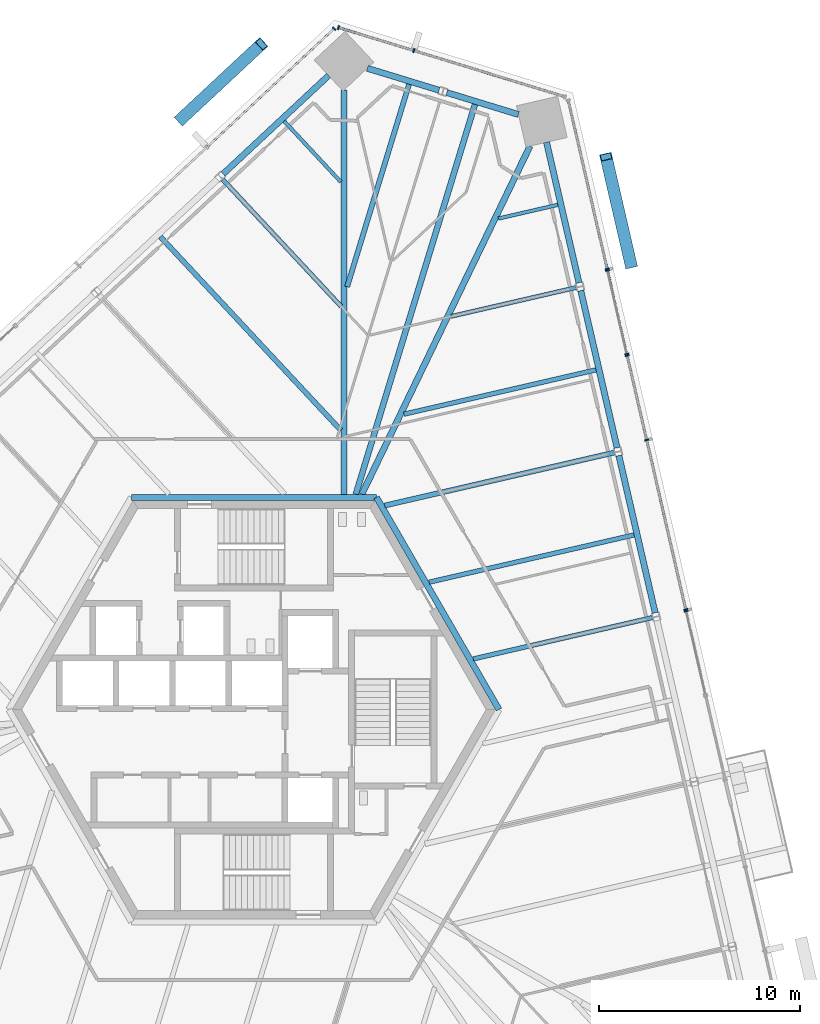
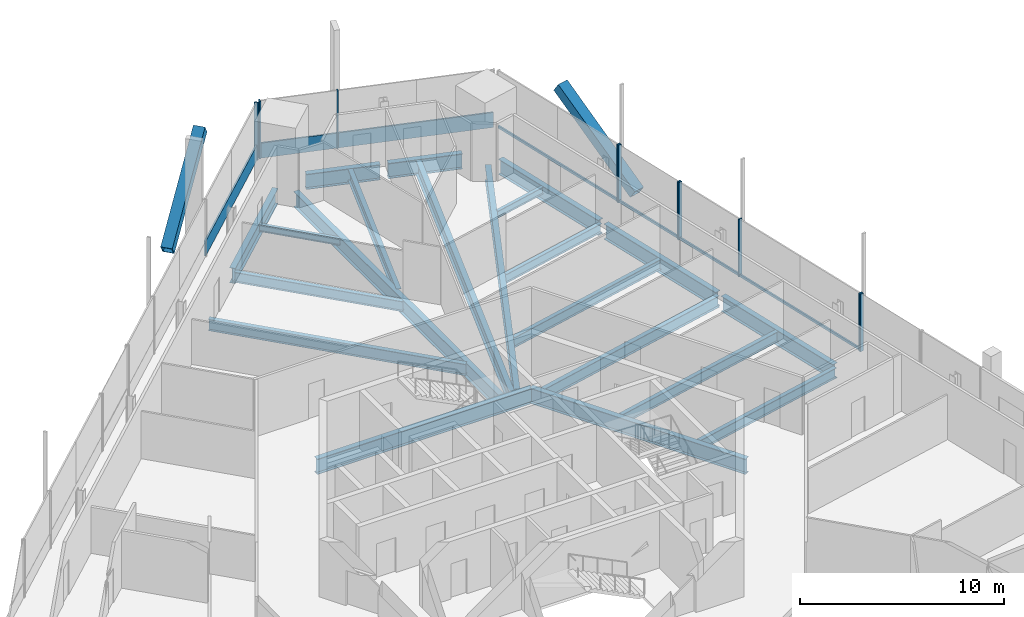
# One storey, part 9 of 24: 21 beams, 19 members, 6 elements without a shape of their own.
"""IFC4 building model written with IfcOpenShell, lengths in metres."""

from ifc_helpers import new_model, si_unit, direction, frame, origin, origin_2d, place, context, subcontext, project, spatial, rectangle, hollow_rectangle, i_section, extrude, source, transform, mapped, material, material_profile, profile_set, type_object, element, aggregate, save


model = new_model("IFC4")

# Units and contexts
model_context = context("Model", 3, precision=1e-05, world=origin(), true_north=direction((0.0, 1.0)))
body_context = subcontext(model_context, "Body", "Model", "MODEL_VIEW")
ifc_project = project(units=[si_unit("LENGTHUNIT", "METRE"), si_unit("AREAUNIT", "SQUARE_METRE"), si_unit("VOLUMEUNIT", "CUBIC_METRE"), si_unit("PLANEANGLEUNIT", "RADIAN"), si_unit("MASSUNIT", "GRAM", prefix="KILO")], contexts=[model_context])

# Site, building, storey
site_placement = place(None, origin())
site = spatial("IfcSite", under=ifc_project, at=site_placement, CompositionType="ELEMENT")
building_placement = place(site_placement, origin())
building = spatial("IfcBuilding", under=site, at=building_placement, Name="Triune Harvest Tower", CompositionType="ELEMENT")
storey_placement = place(building_placement, frame((0.0, 0.0, 127.10009765625)))
storey = spatial("IfcBuildingStorey", under=building, at=storey_placement, Name="L32", CompositionType="ELEMENT", Elevation=127.10009765625)

# Beams
ifc_material_1 = material(Name="Steel ASTM A992 Gr 50", Category="steel")
ifc_material_profile_1 = material_profile(ifc_material_1, i_section(OverallWidth=0.3046875, OverallDepth=0.914306640625, WebThickness=0.0166015625, FlangeThickness=0.02587890625, at=origin_2d()), Name="W36x160")
ifc_profile_set_1 = profile_set([ifc_material_profile_1], Name="Steel ASTM A992 Gr 50")
beam_type_1 = type_object("IfcBeamType", Name="CG-1 Core ring girder W36x160", PredefinedType="BEAM", material=ifc_profile_set_1)
shared_shape_1 = source(origin(), body_context, "Body", "SweptSolid", [
    extrude(i_section(OverallWidth=0.3046875, OverallDepth=0.914306640625, WebThickness=0.0166015625, FlangeThickness=0.02587890625, at=origin_2d()), origin(), (0.0, 0.0, 1.0), 12.176025390625),
])
beam_1_placement = place(storey_placement, frame((12.176025390625, 0.0, -0.6171875), z_axis=(-0.5000099932, 0.866019634131, 0.0), x_axis=(-0.866019634131, -0.5000099932, 0.0)))
element("IfcBeam", 1, at=beam_1_placement, inside=storey, type_object=beam_type_1, Name="beam/L32/CG1", PredefinedType="BEAM", context=body_context, shape_type="MappedRepresentation", body=[
    mapped(shared_shape_1, transform((0.0, 0.0, 0.0), scale=1.0)),
])
shared_shape_2 = source(origin(), body_context, "Body", "SweptSolid", [
    extrude(i_section(OverallWidth=0.3046875, OverallDepth=0.914306640625, WebThickness=0.0166015625, FlangeThickness=0.02587890625, at=origin_2d()), origin(), (0.0, 0.0, 1.0), 12.17578125),
])
beam_2_placement = place(storey_placement, frame((6.087890625, 10.544677734375, -0.6171875), z_axis=(-1.0, 0.0, 0.0), x_axis=(0.0, -1.0, 0.0)))
element("IfcBeam", 2, at=beam_2_placement, inside=storey, type_object=beam_type_1, Name="beam/L32/CG2", PredefinedType="BEAM", context=body_context, shape_type="MappedRepresentation", body=[
    mapped(shared_shape_2, transform((0.0, 0.0, 0.0), scale=1.0)),
])
ifc_material_2 = material(Name="Steel ASTM A992 Gr 50", Category="steel")
ifc_material_profile_2 = material_profile(ifc_material_2, i_section(OverallWidth=0.3046875, OverallDepth=0.914306640625, WebThickness=0.0166015625, FlangeThickness=0.02587890625, at=origin_2d()), Name="W36x160")
ifc_profile_set_2 = profile_set([ifc_material_profile_2], Name="Steel ASTM A992 Gr 50")
beam_type_2 = type_object("IfcBeamType", Name="SB-1 Spandrel beam W36x160", PredefinedType="SPANDREL", material=ifc_profile_set_2)
shared_shape_3 = source(origin(), body_context, "Body", "SweptSolid", [
    extrude(i_section(OverallWidth=0.3046875, OverallDepth=0.914306640625, WebThickness=0.0166015625, FlangeThickness=0.02587890625, at=origin_2d()), origin(), (0.0, 0.0, 1.0), 8.0185546875),
])
beam_3_placement = place(storey_placement, frame((18.04248046875, 13.00439453125, -0.6171875), z_axis=(-0.224915098534, 0.974378365139, 0.0), x_axis=(-0.974378365139, -0.224915098534, 0.0)))
element("IfcBeam", 3, at=beam_3_placement, inside=storey, type_object=beam_type_2, Name="beam/L32/SB5", PredefinedType="SPANDREL", context=body_context, shape_type="MappedRepresentation", body=[
    mapped(shared_shape_3, transform((0.0, 0.0, 0.0), scale=1.0)),
])
shared_shape_4 = source(origin(), body_context, "Body", "SweptSolid", [
    extrude(i_section(OverallWidth=0.3046875, OverallDepth=0.914306640625, WebThickness=0.0166015625, FlangeThickness=0.02587890625, at=origin_2d()), origin(), (0.0, 0.0, 1.0), 8.01806640625),
])
beam_4_placement = place(storey_placement, frame((19.935546875, 4.805908203125, -0.6171875), z_axis=(-0.224957352975, 0.97436861061, 0.0), x_axis=(-0.97436861061, -0.224957352975, 0.0)))
element("IfcBeam", 4, at=beam_4_placement, inside=storey, type_object=beam_type_2, Name="beam/L32/SB4", PredefinedType="SPANDREL", context=body_context, shape_type="MappedRepresentation", body=[
    mapped(shared_shape_4, transform((0.0, 0.0, 0.0), scale=1.0)),
])
shared_shape_5 = source(origin(), body_context, "Body", "SweptSolid", [
    extrude(i_section(OverallWidth=0.3046875, OverallDepth=0.914306640625, WebThickness=0.0166015625, FlangeThickness=0.02587890625, at=origin_2d()), origin(), (0.0, 0.0, 1.0), 7.16650390625),
])
for number, where, z_axis, x_axis, name in (
    (5, (16.14990234375, 21.203369140625, -0.6171875), (-0.224981420466, 0.974363053715, 0.0), (-0.974363053715, -0.224981420466, 0.0), "beam/L32/SB6"),
    (6, (3.709228515625, 31.49658203125, -0.6171875), (-0.731357675554, -0.681994098515, 0.0), (0.681994098515, -0.731357675554, 0.0), "beam/L32/SB9"),
):
    element("IfcBeam", number, at=place(storey_placement, frame(where, z_axis=z_axis, x_axis=x_axis)), inside=storey, type_object=beam_type_2, Name=name, PredefinedType="SPANDREL", context=body_context, shape_type="MappedRepresentation", body=[
        mapped(shared_shape_5, transform((0.0, 0.0, 0.0), scale=1.0)),
    ])
shared_shape_6 = source(origin(), body_context, "Body", "SweptSolid", [
    extrude(i_section(OverallWidth=0.3046875, OverallDepth=0.914306640625, WebThickness=0.0166015625, FlangeThickness=0.02587890625, at=origin_2d()), origin(), (0.0, 0.0, 1.0), 3.72607421875),
])
beam_5_placement = place(storey_placement, frame((13.14208984375, 29.563720703125, -0.6171875), z_axis=(-0.956307307825, 0.292363357829, 0.0), x_axis=(-0.292363357829, -0.956307307825, 0.0)))
element("IfcBeam", 7, at=beam_5_placement, inside=storey, type_object=beam_type_2, Name="beam/L32/SB7", PredefinedType="SPANDREL", context=body_context, shape_type="MappedRepresentation", body=[
    mapped(shared_shape_6, transform((0.0, 0.0, 0.0), scale=1.0)),
])
shared_shape_7 = source(origin(), body_context, "Body", "SweptSolid", [
    extrude(i_section(OverallWidth=0.3046875, OverallDepth=0.914306640625, WebThickness=0.0166015625, FlangeThickness=0.02587890625, at=origin_2d()), origin(), (0.0, 0.0, 1.0), 3.725830078125),
])
beam_6_placement = place(storey_placement, frame((9.19970703125, 30.768798828125, -0.6171875), z_axis=(-0.956301706638, 0.292381678431, 0.0), x_axis=(-0.292381678431, -0.956301706638, 0.0)))
element("IfcBeam", 8, at=beam_6_placement, inside=storey, type_object=beam_type_2, Name="beam/L32/SB8", PredefinedType="SPANDREL", context=body_context, shape_type="MappedRepresentation", body=[
    mapped(shared_shape_7, transform((0.0, 0.0, 0.0), scale=1.0)),
])
ifc_material_3 = material(Name="Steel ASTM A992 Gr 50", Category="steel")
ifc_material_profile_3 = material_profile(ifc_material_3, i_section(OverallWidth=0.307373046875, OverallDepth=0.922119140625, WebThickness=0.018310546875, FlangeThickness=0.030029296875, at=origin_2d()), Name="W36x182")
ifc_profile_set_3 = profile_set([ifc_material_profile_3], Name="Steel ASTM A992 Gr 50")
beam_type_3 = type_object("IfcBeamType", Name="HG-2 Hip girder W36x182", PredefinedType="BEAM", material=ifc_profile_set_3)
shared_shape_8 = source(origin(), body_context, "Body", "SweptSolid", [
    extrude(i_section(OverallWidth=0.307373046875, OverallDepth=0.922119140625, WebThickness=0.018310546875, FlangeThickness=0.030029296875, at=origin_2d()), origin(), (0.0, 0.0, 1.0), 19.2109375),
])
beam_7_placement = place(storey_placement, frame((13.7158203125, 27.996337890625, -0.62109375), z_axis=(-0.434869540736, -0.900493466129, 0.0), x_axis=(0.900493466129, -0.434869540736, 0.0)))
element("IfcBeam", 9, at=beam_7_placement, inside=storey, type_object=beam_type_3, Name="beam/L32/HG3", PredefinedType="BEAM", context=body_context, shape_type="MappedRepresentation", body=[
    mapped(shared_shape_8, transform((0.0, 0.0, 0.0), scale=1.0)),
])
shared_shape_9 = source(origin(), body_context, "Body", "SweptSolid", [
    extrude(i_section(OverallWidth=0.307373046875, OverallDepth=0.922119140625, WebThickness=0.018310546875, FlangeThickness=0.030029296875, at=origin_2d()), origin(), (0.0, 0.0, 1.0), 20.080078125),
])
beam_8_placement = place(storey_placement, frame((4.47705078125, 30.777099609375, -0.62109375), z_axis=(0.0, -1.0, 0.0), x_axis=(1.0, 0.0, 0.0)))
element("IfcBeam", 10, at=beam_8_placement, inside=storey, type_object=beam_type_3, Name="beam/L32/HG4", PredefinedType="BEAM", context=body_context, shape_type="MappedRepresentation", body=[
    mapped(shared_shape_9, transform((0.0, 0.0, 0.0), scale=1.0)),
])
ifc_material_4 = material(Name="Steel ASTM A992 Gr 50", Category="steel")
ifc_material_profile_4 = material_profile(ifc_material_4, i_section(OverallWidth=0.22900390625, OverallDepth=0.612060546875, WebThickness=0.011962890625, FlangeThickness=0.01953125, at=origin_2d()), Name="W24x84")
ifc_profile_set_4 = profile_set([ifc_material_profile_4], Name="Steel ASTM A992 Gr 50")
beam_type_4 = type_object("IfcBeamType", Name="JT-3 Floor joist W24x84", PredefinedType="JOIST", material=ifc_profile_set_4)
shared_shape_10 = source(origin(), body_context, "Body", "SweptSolid", [
    extrude(i_section(OverallWidth=0.22900390625, OverallDepth=0.612060546875, WebThickness=0.011962890625, FlangeThickness=0.01953125, at=origin_2d()), origin(), (0.0, 0.0, 1.0), 9.129150390625),
])
beam_9_placement = place(storey_placement, frame((19.79443359375, 4.56982421875, -0.46630859375), z_axis=(-0.974374065454, -0.22493372484, 0.0), x_axis=(0.22493372484, -0.974374065454, 0.0)))
element("IfcBeam", 11, at=beam_9_placement, inside=storey, type_object=beam_type_4, Name="beam/L32/JT6", PredefinedType="JOIST", context=body_context, shape_type="MappedRepresentation", body=[
    mapped(shared_shape_10, transform((0.0, 0.0, 0.0), scale=1.0)),
])
shared_shape_11 = source(origin(), body_context, "Body", "SweptSolid", [
    extrude(i_section(OverallWidth=0.22900390625, OverallDepth=0.612060546875, WebThickness=0.011962890625, FlangeThickness=0.01953125, at=origin_2d()), origin(), (0.0, 0.0, 1.0), 10.45361328125),
])
beam_10_placement = place(storey_placement, frame((18.88525390625, 8.677978515625, -0.46630859375), z_axis=(-0.974370329956, -0.224949905758, 0.0), x_axis=(0.224949905758, -0.974370329956, 0.0)))
element("IfcBeam", 12, at=beam_10_placement, inside=storey, type_object=beam_type_4, Name="beam/L32/JT7", PredefinedType="JOIST", context=body_context, shape_type="MappedRepresentation", body=[
    mapped(shared_shape_11, transform((0.0, 0.0, 0.0), scale=1.0)),
])
ifc_material_5 = material(Name="Steel ASTM A992 Gr 50", Category="steel")
ifc_material_profile_5 = material_profile(ifc_material_5, i_section(OverallWidth=0.253662109375, OverallDepth=0.683349609375, WebThickness=0.012451171875, FlangeThickness=0.01904296875, at=origin_2d()), Name="W27x94")
ifc_profile_set_5 = profile_set([ifc_material_profile_5], Name="Steel ASTM A992 Gr 50")
beam_type_5 = type_object("IfcBeamType", Name="JT-4 Floor joist W27x94", PredefinedType="JOIST", material=ifc_profile_set_5)
shared_shape_12 = source(origin(), body_context, "Body", "SweptSolid", [
    extrude(i_section(OverallWidth=0.253662109375, OverallDepth=0.683349609375, WebThickness=0.012451171875, FlangeThickness=0.01904296875, at=origin_2d()), origin(), (0.0, 0.0, 1.0), 11.701904296875),
])
beam_11_placement = place(storey_placement, frame((17.901611328125, 12.768798828125, -0.501708984375), z_axis=(-0.974365520252, -0.224970737974, 0.0), x_axis=(0.224970737974, -0.974365520252, 0.0)))
element("IfcBeam", 13, at=beam_11_placement, inside=storey, type_object=beam_type_5, Name="beam/L32/JT8", PredefinedType="JOIST", context=body_context, shape_type="MappedRepresentation", body=[
    mapped(shared_shape_12, transform((0.0, 0.0, 0.0), scale=1.0)),
])
shared_shape_13 = source(origin(), body_context, "Body", "SweptSolid", [
    extrude(i_section(OverallWidth=0.22900390625, OverallDepth=0.612060546875, WebThickness=0.011962890625, FlangeThickness=0.01953125, at=origin_2d()), origin(), (0.0, 0.0, 1.0), 9.790283203125),
])
beam_12_placement = place(storey_placement, frame((16.9921875, 16.876708984375, -0.46630859375), z_axis=(-0.974368495141, -0.224957853113, 0.0), x_axis=(0.224957853113, -0.974368495141, 0.0)))
element("IfcBeam", 14, at=beam_12_placement, inside=storey, type_object=beam_type_4, Name="beam/L32/JT9", PredefinedType="JOIST", context=body_context, shape_type="MappedRepresentation", body=[
    mapped(shared_shape_13, transform((0.0, 0.0, 0.0), scale=1.0)),
])
ifc_material_6 = material(Name="Steel ASTM A992 Gr 50", Category="steel")
ifc_material_profile_6 = material_profile(ifc_material_6, i_section(OverallWidth=0.2099609375, OverallDepth=0.535888671875, WebThickness=0.010986328125, FlangeThickness=0.017333984375, at=origin_2d()), Name="W21x68")
ifc_profile_set_6 = profile_set([ifc_material_profile_6], Name="Steel ASTM A992 Gr 50")
beam_type_6 = type_object("IfcBeamType", Name="JT-2 Floor joist W21x68", PredefinedType="JOIST", material=ifc_profile_set_6)
shared_shape_14 = source(origin(), body_context, "Body", "SweptSolid", [
    extrude(i_section(OverallWidth=0.2099609375, OverallDepth=0.535888671875, WebThickness=0.010986328125, FlangeThickness=0.017333984375, at=origin_2d()), origin(), (0.0, 0.0, 1.0), 6.372314453125),
])
beam_13_placement = place(storey_placement, frame((16.0087890625, 20.967529296875, -0.427978515625), z_axis=(-0.974365360565, -0.224971429586, 0.0), x_axis=(0.224971429586, -0.974365360565, 0.0)))
element("IfcBeam", 15, at=beam_13_placement, inside=storey, type_object=beam_type_6, Name="beam/L32/JT10", PredefinedType="JOIST", context=body_context, shape_type="MappedRepresentation", body=[
    mapped(shared_shape_14, transform((0.0, 0.0, 0.0), scale=1.0)),
])
ifc_material_7 = material(Name="Steel ASTM A992 Gr 50", Category="steel")
ifc_material_profile_7 = material_profile(ifc_material_7, i_section(OverallWidth=0.180908203125, OverallDepth=0.41650390625, WebThickness=0.010986328125, FlangeThickness=0.01806640625, at=origin_2d()), Name="W16x57")
ifc_profile_set_7 = profile_set([ifc_material_profile_7], Name="Steel ASTM A992 Gr 50")
beam_type_7 = type_object("IfcBeamType", Name="JT-1 Floor joist W16x57", PredefinedType="JOIST", material=ifc_profile_set_7)
shared_shape_15 = source(origin(), body_context, "Body", "SweptSolid", [
    extrude(i_section(OverallWidth=0.180908203125, OverallDepth=0.41650390625, WebThickness=0.010986328125, FlangeThickness=0.01806640625, at=origin_2d()), origin(), (0.0, 0.0, 1.0), 3.0302734375),
])
beam_14_placement = place(storey_placement, frame((15.099365234375, 25.075439453125, -0.368408203125), z_axis=(-0.974372182121, -0.224941882957, 0.0), x_axis=(0.224941882957, -0.974372182121, 0.0)))
element("IfcBeam", 16, at=beam_14_placement, inside=storey, type_object=beam_type_7, Name="beam/L32/JT11", PredefinedType="JOIST", context=body_context, shape_type="MappedRepresentation", body=[
    mapped(shared_shape_15, transform((0.0, 0.0, 0.0), scale=1.0)),
])
ifc_material_8 = material(Name="Steel ASTM A992 Gr 50", Category="steel")
ifc_material_profile_8 = material_profile(ifc_material_8, i_section(OverallWidth=0.2919921875, OverallDepth=0.8583984375, WebThickness=0.01708984375, FlangeThickness=0.031005859375, at=origin_2d()), Name="W33x169")
ifc_profile_set_8 = profile_set([ifc_material_profile_8], Name="Steel ASTM A992 Gr 50")
beam_type_8 = type_object("IfcBeamType", Name="JT-7 Floor joist W33x169", PredefinedType="JOIST", material=ifc_profile_set_8)
shared_shape_16 = source(origin(), body_context, "Body", "SweptSolid", [
    extrude(i_section(OverallWidth=0.2919921875, OverallDepth=0.8583984375, WebThickness=0.01708984375, FlangeThickness=0.031005859375, at=origin_2d()), origin(), (0.0, 0.0, 1.0), 20.252685546875),
])
beam_15_placement = place(storey_placement, frame((10.982177734375, 30.064697265625, -0.58935546875), z_axis=(-0.292364925189, -0.956306828648, 0.0), x_axis=(0.956306828648, -0.292364925189, 0.0)))
element("IfcBeam", 17, at=beam_15_placement, inside=storey, type_object=beam_type_8, Name="beam/L32/JT12", PredefinedType="JOIST", context=body_context, shape_type="MappedRepresentation", body=[
    mapped(shared_shape_16, transform((0.0, 0.0, 0.0), scale=1.0)),
])
shared_shape_17 = source(origin(), body_context, "Body", "SweptSolid", [
    extrude(i_section(OverallWidth=0.253662109375, OverallDepth=0.683349609375, WebThickness=0.012451171875, FlangeThickness=0.01904296875, at=origin_2d()), origin(), (0.0, 0.0, 1.0), 10.522705078125),
])
beam_16_placement = place(storey_placement, frame((7.707275390625, 31.065673828125, -0.501708984375), z_axis=(-0.292358820543, -0.956308694957, 0.0), x_axis=(0.956308694957, -0.292358820543, 0.0)))
element("IfcBeam", 18, at=beam_16_placement, inside=storey, type_object=beam_type_5, Name="beam/L32/JT13", PredefinedType="JOIST", context=body_context, shape_type="MappedRepresentation", body=[
    mapped(shared_shape_17, transform((0.0, 0.0, 0.0), scale=1.0)),
])
shared_shape_18 = source(origin(), body_context, "Body", "SweptSolid", [
    extrude(i_section(OverallWidth=0.180908203125, OverallDepth=0.41650390625, WebThickness=0.010986328125, FlangeThickness=0.01806640625, at=origin_2d()), origin(), (0.0, 0.0, 1.0), 4.134033203125),
])
beam_17_placement = place(storey_placement, frame((1.504150390625, 29.23193359375, -0.368408203125), z_axis=(0.681989931417, -0.731361561367, 0.0), x_axis=(0.731361561367, 0.681989931417, 0.0)))
element("IfcBeam", 19, at=beam_17_placement, inside=storey, type_object=beam_type_7, Name="beam/L32/JT14", PredefinedType="JOIST", context=body_context, shape_type="MappedRepresentation", body=[
    mapped(shared_shape_18, transform((0.0, 0.0, 0.0), scale=1.0)),
])
shared_shape_19 = source(origin(), body_context, "Body", "SweptSolid", [
    extrude(i_section(OverallWidth=0.22900390625, OverallDepth=0.612060546875, WebThickness=0.011962890625, FlangeThickness=0.01953125, at=origin_2d()), origin(), (0.0, 0.0, 1.0), 8.607666015625),
])
beam_18_placement = place(storey_placement, frame((-1.546875, 26.334716796875, -0.46630859375), z_axis=(0.681999854465, -0.731352308063, 0.0), x_axis=(0.731352308063, 0.681999854465, 0.0)))
element("IfcBeam", 20, at=beam_18_placement, inside=storey, type_object=beam_type_4, Name="beam/L32/JT15", PredefinedType="JOIST", context=body_context, shape_type="MappedRepresentation", body=[
    mapped(shared_shape_19, transform((0.0, 0.0, 0.0), scale=1.0)),
])
shared_shape_20 = source(origin(), body_context, "Body", "SweptSolid", [
    extrude(i_section(OverallWidth=0.253662109375, OverallDepth=0.683349609375, WebThickness=0.012451171875, FlangeThickness=0.01904296875, at=origin_2d()), origin(), (0.0, 0.0, 1.0), 13.157470703125),
])
beam_19_placement = place(storey_placement, frame((-4.64990234375, 23.493408203125, -0.501708984375), z_axis=(0.681997545037, -0.731354461642, 0.0), x_axis=(0.731354461642, 0.681997545037, 0.0)))
element("IfcBeam", 21, at=beam_19_placement, inside=storey, type_object=beam_type_5, Name="beam/L32/JT16", PredefinedType="JOIST", context=body_context, shape_type="MappedRepresentation", body=[
    mapped(shared_shape_20, transform((0.0, 0.0, 0.0), scale=1.0)),
])

# Members
ifc_material_9 = material(Name="Steel ASTM A572 Gr 50", Category="steel")
ifc_material_profile_9 = material_profile(ifc_material_9, hollow_rectangle(XDim=0.60009765625, YDim=0.60009765625, WallThickness=0.0400390625, at=origin_2d()), Name="Box 600x600x40")
ifc_profile_set_9 = profile_set([ifc_material_profile_9], Name="Steel ASTM A572 Gr 50")
member_type_1 = type_object("IfcMemberType", Name="BR-2 Brace Box 600x600x40", PredefinedType="BRACE", material=ifc_profile_set_9)
shared_shape_21 = source(origin(), body_context, "Body", "SweptSolid", [
    extrude(hollow_rectangle(XDim=0.60009765625, YDim=0.60009765625, WallThickness=0.0400390625, at=origin_2d()), origin(), (0.0, 0.0, 1.0), 6.56640625),
])
member_1_placement = place(storey_placement, frame((18.730224609375, 22.112060546875, 0.0), z_axis=(-0.188134834296, 0.814891534243, 0.548230856067), x_axis=(-0.974369462042, -0.224953665097, 0.0)))
element("IfcMember", 22, at=member_1_placement, inside=storey, type_object=member_type_1, Name="brace/B3-F1/d1/9", PredefinedType="BRACE", context=body_context, shape_type="MappedRepresentation", body=[
    mapped(shared_shape_21, transform((0.0, 0.0, 0.0), scale=1.0)),
])
shared_shape_22 = source(origin(), body_context, "Body", "SweptSolid", [
    extrude(hollow_rectangle(XDim=0.60009765625, YDim=0.60009765625, WallThickness=0.0400390625, at=origin_2d()), origin(), (0.0, 0.0, 1.0), 6.566162109375),
])
member_2_placement = place(storey_placement, frame((-3.640380859375, 29.3173828125, 0.0), z_axis=(0.611628219627, 0.570394438741, 0.548234534857), x_axis=(-0.682025155065, 0.731328713957, 0.0)))
element("IfcMember", 23, at=member_2_placement, inside=storey, type_object=member_type_1, Name="brace/B3-F3/d2/9", PredefinedType="BRACE", context=body_context, shape_type="MappedRepresentation", body=[
    mapped(shared_shape_22, transform((0.0, 0.0, 0.0), scale=1.0)),
])

# Curtain wall, members
ifc_material_10 = material(Name="Aluminium bronze anodised", Category="aluminium")
curtain_wall_type_1 = type_object("IfcCurtainWallType", Name="CW-7 Tower stick curtain wall with insulated spandrel infill", PredefinedType="NOTDEFINED", material=ifc_material_10)
curtain_wall_1_placement = place(storey_placement, origin())
curtain_wall_1 = element("IfcCurtainWall", 24, at=curtain_wall_1_placement, inside=storey, type_object=curtain_wall_type_1, Name="CW-7 B3-F2 L32 run 1")
ifc_material_11 = material(Name="Aluminium bronze anodised", Category="aluminium")
ifc_material_profile_10 = material_profile(ifc_material_11, rectangle(XDim=0.199951171875, YDim=0.074951171875, at=origin_2d()), Name="MU-1 mullion 75 x 200")
ifc_profile_set_10 = profile_set([ifc_material_profile_10], Name="Aluminium bronze anodised")
member_type_2 = type_object("IfcMemberType", Name="MU-1 mullion 75 x 200", PredefinedType="MULLION", material=ifc_profile_set_10)
shared_shape_23 = source(origin(), body_context, "Body", "SweptSolid", [
    extrude(rectangle(XDim=0.199951171875, YDim=0.074951171875, at=origin_2d()), origin(), (0.0, 0.0, 1.0), 3.43994140625),
])
member_3_placement = place(storey_placement, frame((7.945068359375, 32.740478515625, 0.0), z_axis=(0.0, 0.0, 1.0), x_axis=(-0.292376962095, -0.956303148607, 0.0)))
member_3 = element("IfcMember", 25, at=member_3_placement, type_object=member_type_2, Name="CW-7 mullion B3-F2 1.3", PredefinedType="MULLION", context=body_context, shape_type="MappedRepresentation", body=[
    mapped(shared_shape_23, transform((0.0, 0.0, 0.0), scale=1.0)),
])
member_4_placement = place(storey_placement, frame((4.20458984375, 33.884033203125, 0.0), z_axis=(0.0, 0.0, 1.0), x_axis=(-0.292376962095, -0.956303148607, 0.0)))
member_4 = element("IfcMember", 26, at=member_4_placement, type_object=member_type_2, Name="CW-7 mullion B3-F2 1.4", PredefinedType="MULLION", context=body_context, shape_type="MappedRepresentation", body=[
    mapped(shared_shape_23, transform((0.0, 0.0, 0.0), scale=1.0)),
])

# Curtain wall, member
curtain_wall_2_placement = place(storey_placement, origin())
curtain_wall_2 = element("IfcCurtainWall", 27, at=curtain_wall_2_placement, inside=storey, type_object=curtain_wall_type_1, Name="CW-7 B3-F3 L32 run 1")
member_5_placement = place(storey_placement, frame((3.9892578125, 33.83447265625, 0.0), z_axis=(0.0, 0.0, 1.0), x_axis=(0.681997080647, -0.731354894691, 0.0)))
member_5 = element("IfcMember", 28, at=member_5_placement, type_object=member_type_2, Name="CW-7 mullion B3-F3 1.1", PredefinedType="MULLION", context=body_context, shape_type="MappedRepresentation", body=[
    mapped(shared_shape_23, transform((0.0, 0.0, 0.0), scale=1.0)),
])

ifc_material_12 = material(Name="Aluminium bronze anodised", Category="aluminium")
curtain_wall_type_2 = type_object("IfcCurtainWallType", Name="CW-6 Balcony window wall", PredefinedType="NOTDEFINED", material=ifc_material_12)
curtain_wall_3_placement = place(storey_placement, origin())
curtain_wall_3 = element("IfcCurtainWall", 29, at=curtain_wall_3_placement, inside=storey, type_object=curtain_wall_type_2, Name="CW-6 B3-F1 L32 run 1002")
ifc_material_13 = material(Name="Aluminium bronze anodised", Category="aluminium")
ifc_material_profile_11 = material_profile(ifc_material_13, rectangle(XDim=0.199951171875, YDim=0.074951171875, at=origin_2d()), Name="MU-6 mullion 75 x 200")
ifc_profile_set_11 = profile_set([ifc_material_profile_11], Name="Aluminium bronze anodised")
member_type_3 = type_object("IfcMemberType", Name="MU-6 mullion 75 x 200", PredefinedType="MULLION", material=ifc_profile_set_11)
shared_shape_24 = source(origin(), body_context, "Body", "SweptSolid", [
    extrude(rectangle(XDim=0.199951171875, YDim=0.074951171875, at=origin_2d()), origin(), (0.0, 0.0, 1.0), 3.43994140625),
])
member_6_placement = place(storey_placement, frame((21.47314453125, 4.895751953125, 0.0), z_axis=(0.0, 0.0, 1.0), x_axis=(-0.974367901353, -0.224960424995, 0.0)))
member_6 = element("IfcMember", 30, at=member_6_placement, type_object=member_type_3, Name="CW-6 mullion B3-F1 1002.2", PredefinedType="MULLION", context=body_context, shape_type="MappedRepresentation", body=[
    mapped(shared_shape_24, transform((0.0, 0.0, 0.0), scale=1.0)),
])
aggregate(curtain_wall_3, [member_6])

# Curtain wall, members
ifc_material_14 = material(Name="Aluminium bronze anodised", Category="aluminium")
curtain_wall_type_3 = type_object("IfcCurtainWallType", Name="CW-10 Balcony window wall with insulated spandrel infill", PredefinedType="NOTDEFINED", material=ifc_material_14)
curtain_wall_4_placement = place(storey_placement, origin())
curtain_wall_4 = element("IfcCurtainWall", 31, at=curtain_wall_4_placement, inside=storey, type_object=curtain_wall_type_3, Name="CW-10 B3-F1 L32 run 2002")
member_7_placement = place(storey_placement, frame((21.456298828125, 4.968994140625, 0.0), z_axis=(0.0, 0.0, 1.0), x_axis=(-0.974369972509, -0.224951454035, 0.0)))
member_7 = element("IfcMember", 32, at=member_7_placement, type_object=member_type_3, Name="CW-10 mullion B3-F1 2002.1", PredefinedType="MULLION", context=body_context, shape_type="MappedRepresentation", body=[
    mapped(shared_shape_24, transform((0.0, 0.0, 0.0), scale=1.0)),
])
member_8_placement = place(storey_placement, frame((19.51123046875, 13.39404296875, 0.0), z_axis=(0.0, 0.0, 1.0), x_axis=(-0.974369972509, -0.224951454035, 0.0)))
member_8 = element("IfcMember", 33, at=member_8_placement, type_object=member_type_3, Name="CW-10 mullion B3-F1 2002.3", PredefinedType="MULLION", context=body_context, shape_type="MappedRepresentation", body=[
    mapped(shared_shape_24, transform((0.0, 0.0, 0.0), scale=1.0)),
])
member_9_placement = place(storey_placement, frame((18.54296875, 17.58837890625, 0.0), z_axis=(0.0, 0.0, 1.0), x_axis=(-0.974369972509, -0.224951454035, 0.0)))
member_9 = element("IfcMember", 34, at=member_9_placement, type_object=member_type_3, Name="CW-10 mullion B3-F1 2002.4", PredefinedType="MULLION", context=body_context, shape_type="MappedRepresentation", body=[
    mapped(shared_shape_24, transform((0.0, 0.0, 0.0), scale=1.0)),
])

curtain_wall_5_placement = place(storey_placement, origin())
curtain_wall_5 = element("IfcCurtainWall", 35, at=curtain_wall_5_placement, inside=storey, type_object=curtain_wall_type_2, Name="CW-6 B3-F1 L32 run 3002")
member_10_placement = place(storey_placement, frame((18.526123046875, 17.661376953125, 0.0), z_axis=(0.0, 0.0, 1.0), x_axis=(-0.974372949253, -0.224938559974, 0.0)))
member_10 = element("IfcMember", 36, at=member_10_placement, type_object=member_type_3, Name="CW-6 mullion B3-F1 3002.1", PredefinedType="MULLION", context=body_context, shape_type="MappedRepresentation", body=[
    mapped(shared_shape_24, transform((0.0, 0.0, 0.0), scale=1.0)),
])
member_11_placement = place(storey_placement, frame((17.566162109375, 21.819091796875, 0.0), z_axis=(0.0, 0.0, 1.0), x_axis=(-0.974372949253, -0.224938559974, 0.0)))
member_11 = element("IfcMember", 37, at=member_11_placement, type_object=member_type_3, Name="CW-6 mullion B3-F1 3002.2", PredefinedType="MULLION", context=body_context, shape_type="MappedRepresentation", body=[
    mapped(shared_shape_24, transform((0.0, 0.0, 0.0), scale=1.0)),
])

# Curtain wall, member
curtain_wall_6_placement = place(storey_placement, origin())
curtain_wall_6 = element("IfcCurtainWall", 38, at=curtain_wall_6_placement, inside=storey, type_object=curtain_wall_type_3, Name="CW-10 B3-F1 L32 run 4002")
member_12_placement = place(storey_placement, frame((17.54931640625, 21.892333984375, 0.0), z_axis=(0.0, 0.0, 1.0), x_axis=(-0.974369091581, -0.224955269713, 0.0)))
member_12 = element("IfcMember", 39, at=member_12_placement, type_object=member_type_3, Name="CW-10 mullion B3-F1 4002.1", PredefinedType="MULLION", context=body_context, shape_type="MappedRepresentation", body=[
    mapped(shared_shape_24, transform((0.0, 0.0, 0.0), scale=1.0)),
])

# Member
ifc_material_15 = material(Name="Aluminium bronze anodised", Category="aluminium")
ifc_material_profile_12 = material_profile(ifc_material_15, rectangle(XDim=0.090087890625, YDim=0.89990234375, at=origin_2d()), Name="TR-1 transom 90 x 900")
ifc_profile_set_12 = profile_set([ifc_material_profile_12], Name="Aluminium bronze anodised")
member_type_4 = type_object("IfcMemberType", Name="TR-1 transom 90 x 900", PredefinedType="USERDEFINED", material=ifc_profile_set_12)
shared_shape_25 = source(origin(), body_context, "Body", "SweptSolid", [
    extrude(rectangle(XDim=0.090087890625, YDim=0.89990234375, at=origin_2d()), origin(), (0.0, 0.0, 1.0), 7.78564453125),
])
member_13_placement = place(storey_placement, frame((15.42626953125, 30.453125, 0.449951171875), z_axis=(-0.956300923205, 0.292384240817, 0.0), x_axis=(-0.292384240817, -0.956300923205, 0.0)))
member_13 = element("IfcMember", 40, at=member_13_placement, type_object=member_type_4, Name="CW-7 transom B3-F2 1.1", ObjectType="TRANSOM", PredefinedType="USERDEFINED", context=body_context, shape_type="MappedRepresentation", body=[
    mapped(shared_shape_25, transform((0.0, 0.0, 0.0), scale=1.0)),
])

shared_shape_26 = source(origin(), body_context, "Body", "SweptSolid", [
    extrude(rectangle(XDim=0.090087890625, YDim=0.89990234375, at=origin_2d()), origin(), (0.0, 0.0, 1.0), 3.83642578125),
])
member_14_placement = place(storey_placement, frame((7.9091796875, 32.75146484375, 0.449951171875), z_axis=(-0.956308580564, 0.292359194724, 0.0), x_axis=(-0.292359194724, -0.956308580564, 0.0)))
member_14 = element("IfcMember", 41, at=member_14_placement, type_object=member_type_4, Name="CW-7 transom B3-F2 1.2", ObjectType="TRANSOM", PredefinedType="USERDEFINED", context=body_context, shape_type="MappedRepresentation", body=[
    mapped(shared_shape_26, transform((0.0, 0.0, 0.0), scale=1.0)),
])

aggregate(curtain_wall_1, [member_3, member_4, member_13, member_14])

shared_shape_27 = source(origin(), body_context, "Body", "SweptSolid", [
    extrude(rectangle(XDim=0.090087890625, YDim=0.89990234375, at=origin_2d()), origin(), (0.0, 0.0, 1.0), 8.564208984375),
])
member_15_placement = place(storey_placement, frame((3.9619140625, 33.808837890625, 0.449951171875), z_axis=(-0.731349073873, -0.682003322679, 0.0), x_axis=(0.682003322679, -0.731349073873, 0.0)))
member_15 = element("IfcMember", 42, at=member_15_placement, type_object=member_type_4, Name="CW-7 transom B3-F3 1.1", ObjectType="TRANSOM", PredefinedType="USERDEFINED", context=body_context, shape_type="MappedRepresentation", body=[
    mapped(shared_shape_27, transform((0.0, 0.0, 0.0), scale=1.0)),
])

aggregate(curtain_wall_2, [member_5, member_15])

ifc_material_16 = material(Name="Aluminium bronze anodised", Category="aluminium")
ifc_material_profile_13 = material_profile(ifc_material_16, rectangle(XDim=0.090087890625, YDim=0.14990234375, at=origin_2d()), Name="TR-6 transom 90 x 150")
ifc_profile_set_13 = profile_set([ifc_material_profile_13], Name="Aluminium bronze anodised")
member_type_5 = type_object("IfcMemberType", Name="TR-6 transom 90 x 150", PredefinedType="USERDEFINED", material=ifc_profile_set_13)
shared_shape_28 = source(origin(), body_context, "Body", "SweptSolid", [
    extrude(rectangle(XDim=0.090087890625, YDim=0.14990234375, at=origin_2d()), origin(), (0.0, 0.0, 1.0), 8.5341796875),
])
member_16_placement = place(storey_placement, frame((17.541015625, 21.9287109375, 0.074951171875), z_axis=(-0.22496814892, 0.974366118033, 0.0), x_axis=(-0.974366118033, -0.22496814892, 0.0)))
member_16 = element("IfcMember", 43, at=member_16_placement, type_object=member_type_5, Name="CW-10 transom B3-F1 4002.1", ObjectType="TRANSOM", PredefinedType="USERDEFINED", context=body_context, shape_type="MappedRepresentation", body=[
    mapped(shared_shape_28, transform((0.0, 0.0, 0.0), scale=1.0)),
])

aggregate(curtain_wall_6, [member_12, member_16])

shared_shape_29 = source(origin(), body_context, "Body", "SweptSolid", [
    extrude(rectangle(XDim=0.090087890625, YDim=0.14990234375, at=origin_2d()), origin(), (0.0, 0.0, 1.0), 8.57177734375),
])
member_17_placement = place(storey_placement, frame((21.447998046875, 5.00537109375, 0.074951171875), z_axis=(-0.224951032214, 0.974370069894, 0.0), x_axis=(-0.974370069894, -0.224951032214, 0.0)))
member_17 = element("IfcMember", 44, at=member_17_placement, type_object=member_type_5, Name="CW-10 transom B3-F1 2002.1", ObjectType="TRANSOM", PredefinedType="USERDEFINED", context=body_context, shape_type="MappedRepresentation", body=[
    mapped(shared_shape_29, transform((0.0, 0.0, 0.0), scale=1.0)),
])

shared_shape_30 = source(origin(), body_context, "Body", "SweptSolid", [
    extrude(rectangle(XDim=0.090087890625, YDim=0.14990234375, at=origin_2d()), origin(), (0.0, 0.0, 1.0), 4.2294921875),
])
member_18_placement = place(storey_placement, frame((19.5029296875, 13.4306640625, 0.074951171875), z_axis=(-0.225002838004, 0.974358108136, 0.0), x_axis=(-0.974358108136, -0.225002838004, 0.0)))
member_18 = element("IfcMember", 45, at=member_18_placement, type_object=member_type_5, Name="CW-10 transom B3-F1 2002.2", ObjectType="TRANSOM", PredefinedType="USERDEFINED", context=body_context, shape_type="MappedRepresentation", body=[
    mapped(shared_shape_30, transform((0.0, 0.0, 0.0), scale=1.0)),
])

aggregate(curtain_wall_4, [member_7, member_8, member_9, member_17, member_18])

shared_shape_31 = source(origin(), body_context, "Body", "SweptSolid", [
    extrude(rectangle(XDim=0.090087890625, YDim=0.14990234375, at=origin_2d()), origin(), (0.0, 0.0, 1.0), 4.192138671875),
])
member_19_placement = place(storey_placement, frame((18.517578125, 17.697998046875, 0.074951171875), z_axis=(-0.224914799631, 0.974378434135, 0.0), x_axis=(-0.974378434135, -0.224914799631, 0.0)))
member_19 = element("IfcMember", 46, at=member_19_placement, type_object=member_type_5, Name="CW-6 transom B3-F1 3002.1", ObjectType="TRANSOM", PredefinedType="USERDEFINED", context=body_context, shape_type="MappedRepresentation", body=[
    mapped(shared_shape_31, transform((0.0, 0.0, 0.0), scale=1.0)),
])

aggregate(curtain_wall_5, [member_10, member_11, member_19])

save(model, "model.ifc")
